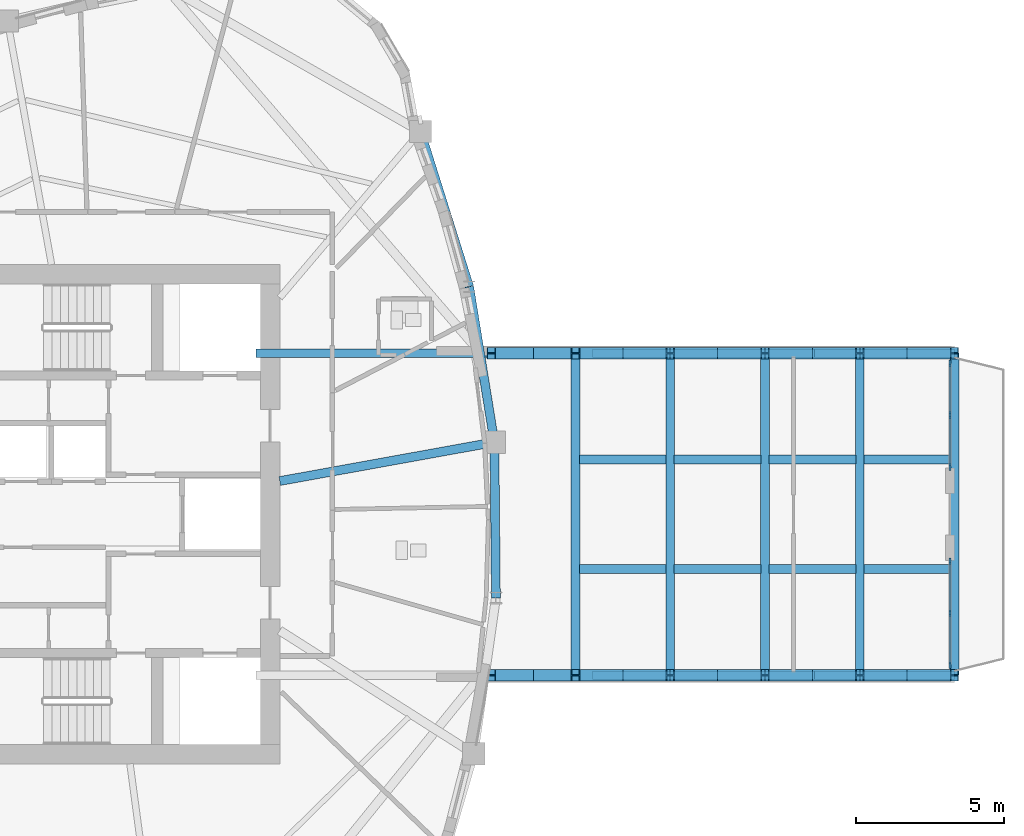
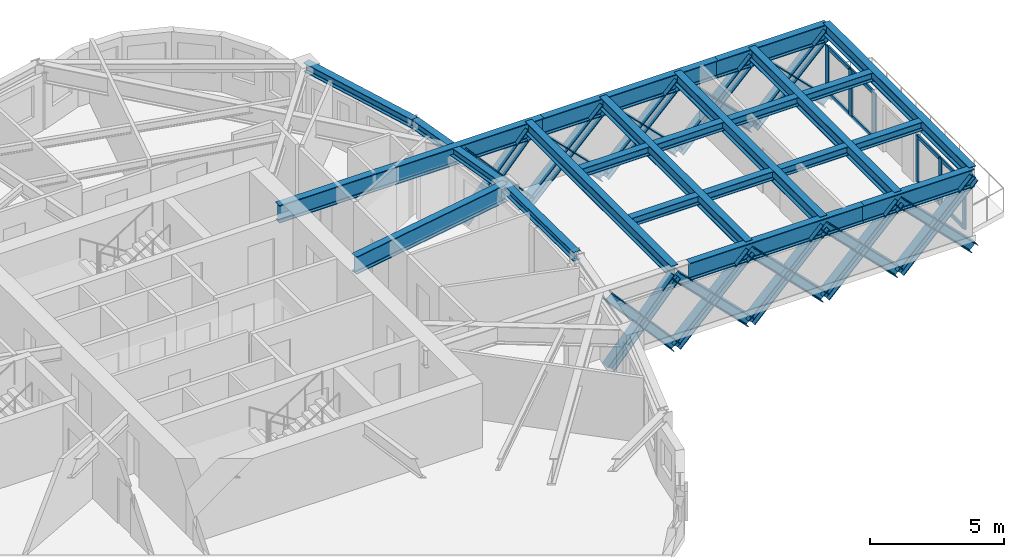
# One storey, part 2 of 13: 34 members, 22 beams, 2 elements without a shape of their own.
"""IFC4 building model written with IfcOpenShell, lengths in metres."""

from ifc_helpers import new_model, si_unit, direction, frame, origin, origin_2d, place, context, subcontext, project, spatial, rectangle, i_section, extrude, source, transform, mapped, material, layer, layer_set, material_profile, profile_set, type_object, element, aggregate, save


model = new_model("IFC4")

# Units and contexts
model_context = context("Model", 3, precision=1e-05, world=origin(), true_north=direction((0.0, 1.0)))
body_context = subcontext(model_context, "Body", "Model", "MODEL_VIEW")
ifc_project = project(units=[si_unit("LENGTHUNIT", "METRE"), si_unit("AREAUNIT", "SQUARE_METRE"), si_unit("VOLUMEUNIT", "CUBIC_METRE"), si_unit("PLANEANGLEUNIT", "RADIAN"), si_unit("MASSUNIT", "GRAM", prefix="KILO")], contexts=[model_context])

# Site, building, storey
site_placement = place(None, origin())
site = spatial("IfcSite", under=ifc_project, at=site_placement, CompositionType="ELEMENT")
building_placement = place(site_placement, origin())
building = spatial("IfcBuilding", under=site, at=building_placement, Name="Qafzar Sky-Pleat Residences", CompositionType="ELEMENT")
storey_placement = place(building_placement, frame((0.0, 0.0, 158.60009765625)))
storey = spatial("IfcBuildingStorey", under=building, at=storey_placement, Name="L47", CompositionType="ELEMENT", Elevation=158.60009765625)

# Beams
ifc_material_1 = material(Name="Steel S355", Category="steel")
ifc_material_profile_1 = material_profile(ifc_material_1, i_section(OverallWidth=0.300048828125, OverallDepth=0.39990234375, WebThickness=0.013427734375, FlangeThickness=0.02392578125, FilletRadius=0.027099609375, at=origin_2d()), Name="HEB 400")
ifc_profile_set_1 = profile_set([ifc_material_profile_1], Name="Steel S355")
beam_type_1 = type_object("IfcBeamType", Name="BM-SPAN-HEB400", PredefinedType="SPANDREL", material=ifc_profile_set_1)
shared_shape_1 = source(origin(), body_context, "Body", "SweptSolid", [
    extrude(i_section(OverallWidth=0.300048828125, OverallDepth=0.39990234375, WebThickness=0.013427734375, FlangeThickness=0.02392578125, FilletRadius=0.027099609375, at=origin_2d()), origin(), (0.0, 0.0, 1.0), 5.508544921875),
])
beam_1_placement = place(storey_placement, frame((42.964111328125, 33.7001953125, 2.747802734375), z_axis=(-0.300093956645, 0.953909648334, 0.0), x_axis=(-0.953909648334, -0.300093956645, 0.0)))
element("IfcBeam", 1, at=beam_1_placement, inside=storey, type_object=beam_type_1, Name="L47 Perimeter Spandrel Beam 12", PredefinedType="SPANDREL", context=body_context, shape_type="MappedRepresentation", body=[
    mapped(shared_shape_1, transform((0.0, 0.0, 0.0), x_axis=(1.0, 0.0, 0.0), y_axis=(0.0, 1.0, 0.0), z_axis=(0.0, 0.0, 1.0), scale=1.0)),
])
shared_shape_2 = source(origin(), body_context, "Body", "SweptSolid", [
    extrude(i_section(OverallWidth=0.300048828125, OverallDepth=0.39990234375, WebThickness=0.013427734375, FlangeThickness=0.02392578125, FilletRadius=0.027099609375, at=origin_2d()), origin(), (0.0, 0.0, 1.0), 5.330810546875),
])
beam_2_placement = place(storey_placement, frame((43.81591796875, 28.43798828125, 2.747802734375), z_axis=(-0.159792544601, 0.987150618037, 0.0), x_axis=(-0.987150618037, -0.159792544601, 0.0)))
element("IfcBeam", 2, at=beam_2_placement, inside=storey, type_object=beam_type_1, Name="L47 Perimeter Spandrel Beam 11", PredefinedType="SPANDREL", context=body_context, shape_type="MappedRepresentation", body=[
    mapped(shared_shape_2, transform((0.0, 0.0, 0.0), x_axis=(1.0, 0.0, 0.0), y_axis=(0.0, 1.0, 0.0), z_axis=(0.0, 0.0, 1.0), scale=1.0)),
])
shared_shape_3 = source(origin(), body_context, "Body", "SweptSolid", [
    extrude(i_section(OverallWidth=0.300048828125, OverallDepth=0.39990234375, WebThickness=0.013427734375, FlangeThickness=0.02392578125, FilletRadius=0.027099609375, at=origin_2d()), origin(), (0.0, 0.0, 1.0), 5.27001953125),
])
beam_3_placement = place(storey_placement, frame((43.866943359375, 23.168212890625, 2.747802734375), z_axis=(-0.009682196128, 0.999953126441, 0.0), x_axis=(-0.999953126441, -0.009682196128, 0.0)))
element("IfcBeam", 3, at=beam_3_placement, inside=storey, type_object=beam_type_1, Name="L47 Perimeter Spandrel Beam 10", PredefinedType="SPANDREL", context=body_context, shape_type="MappedRepresentation", body=[
    mapped(shared_shape_3, transform((0.0, 0.0, 0.0), x_axis=(1.0, 0.0, 0.0), y_axis=(0.0, 1.0, 0.0), z_axis=(0.0, 0.0, 1.0), scale=1.0)),
])
ifc_material_2 = material(Name="Steel S460", Category="steel")
ifc_material_profile_2 = material_profile(ifc_material_2, i_section(OverallWidth=0.300048828125, OverallDepth=0.800048828125, WebThickness=0.017578125, FlangeThickness=0.032958984375, FilletRadius=0.030029296875, at=origin_2d()), Name="HEB 800")
ifc_profile_set_2 = profile_set([ifc_material_profile_2], Name="Steel S460")
beam_type_2 = type_object("IfcBeamType", Name="BM-CHORD-HEB800", PredefinedType="BEAM", material=ifc_profile_set_2)
shared_shape_4 = source(origin(), body_context, "Body", "SweptSolid", [
    extrude(i_section(OverallWidth=0.300048828125, OverallDepth=0.800048828125, WebThickness=0.017578125, FlangeThickness=0.032958984375, FilletRadius=0.030029296875, at=origin_2d()), origin(), (0.0, 0.0, 1.0), 7.384033203125),
])
beam_4_placement = place(storey_placement, frame((43.81591796875, 28.43798828125, 2.5478515625), z_axis=(-0.98400400276, -0.178146351496, 0.0), x_axis=(0.178146351496, -0.98400400276, 0.0)))
element("IfcBeam", 4, at=beam_4_placement, inside=storey, type_object=beam_type_2, Name="L47 Radial Floor Girder 11", PredefinedType="BEAM", context=body_context, shape_type="MappedRepresentation", body=[
    mapped(shared_shape_4, transform((0.0, 0.0, 0.0), x_axis=(1.0, 0.0, 0.0), y_axis=(0.0, 1.0, 0.0), z_axis=(0.0, 0.0, 1.0), scale=1.0)),
])
shared_shape_5 = source(origin(), body_context, "Body", "SweptSolid", [
    extrude(i_section(OverallWidth=0.300048828125, OverallDepth=0.800048828125, WebThickness=0.017578125, FlangeThickness=0.032958984375, FilletRadius=0.030029296875, at=origin_2d()), origin(), (0.0, 0.0, 1.0), 11.405029296875),
])
beam_5_placement = place(storey_placement, frame((35.75, 31.449951171875, 2.5478515625), z_axis=(1.0, 0.0, 0.0), x_axis=(0.0, 1.0, 0.0)))
element("IfcBeam", 5, at=beam_5_placement, inside=storey, type_object=beam_type_2, Name="L47 SB-4 Truss Chord L1", PredefinedType="BEAM", context=body_context, shape_type="MappedRepresentation", body=[
    mapped(shared_shape_5, transform((0.0, 0.0, 0.0), x_axis=(1.0, 0.0, 0.0), y_axis=(0.0, 1.0, 0.0), z_axis=(0.0, 0.0, 1.0), scale=1.0)),
])
shared_shape_6 = source(origin(), body_context, "Body", "SweptSolid", [
    extrude(i_section(OverallWidth=0.300048828125, OverallDepth=0.800048828125, WebThickness=0.017578125, FlangeThickness=0.032958984375, FilletRadius=0.030029296875, at=origin_2d()), origin(), (0.0, 0.0, 1.0), 7.510009765625),
])
for number, where, z_axis, x_axis, name in (
    (6, (47.14501953125, 31.449951171875, 2.5478515625), (1.0, 0.0, 0.0), (0.0, 1.0, 0.0), "L47 SB-4 Truss Chord L2"),
    (7, (47.14501953125, 20.550048828125, 2.5478515625), (1.0, 0.0, 0.0), (0.0, 1.0, 0.0), "L47 SB-4 Truss Chord R2"),
):
    element("IfcBeam", number, at=place(storey_placement, frame(where, z_axis=z_axis, x_axis=x_axis)), inside=storey, type_object=beam_type_2, Name=name, PredefinedType="BEAM", context=body_context, shape_type="MappedRepresentation", body=[
        mapped(shared_shape_6, transform((0.0, 0.0, 0.0), x_axis=(1.0, 0.0, 0.0), y_axis=(0.0, 1.0, 0.0), z_axis=(0.0, 0.0, 1.0), scale=1.0)),
    ])
shared_shape_7 = source(origin(), body_context, "Body", "SweptSolid", [
    extrude(i_section(OverallWidth=0.300048828125, OverallDepth=0.800048828125, WebThickness=0.017578125, FlangeThickness=0.032958984375, FilletRadius=0.030029296875, at=origin_2d()), origin(), (0.0, 0.0, 1.0), 4.74755859375),
])
for number, where, z_axis, x_axis, name in (
    (8, (54.64501953125, 31.449951171875, 2.5478515625), (1.0, 0.0, 0.0), (0.0, 1.0, 0.0), "L47 SB-4 Truss Chord L3"),
    (9, (54.64501953125, 20.550048828125, 2.5478515625), (1.0, 0.0, 0.0), (0.0, 1.0, 0.0), "L47 SB-4 Truss Chord R3"),
):
    element("IfcBeam", number, at=place(storey_placement, frame(where, z_axis=z_axis, x_axis=x_axis)), inside=storey, type_object=beam_type_2, Name=name, PredefinedType="BEAM", context=body_context, shape_type="MappedRepresentation", body=[
        mapped(shared_shape_7, transform((0.0, 0.0, 0.0), x_axis=(1.0, 0.0, 0.0), y_axis=(0.0, 1.0, 0.0), z_axis=(0.0, 0.0, 1.0), scale=1.0)),
    ])
ifc_material_profile_3 = material_profile(ifc_material_1, i_section(OverallWidth=0.300048828125, OverallDepth=0.550048828125, WebThickness=0.014892578125, FlangeThickness=0.029052734375, FilletRadius=0.027099609375, at=origin_2d()), Name="HEB 550")
ifc_profile_set_3 = profile_set([ifc_material_profile_3], Name="Steel S355")
beam_type_3 = type_object("IfcBeamType", Name="BM-GIRD-HEB550", PredefinedType="BEAM", material=ifc_profile_set_3)
shared_shape_8 = source(origin(), body_context, "Body", "SweptSolid", [
    extrude(i_section(OverallWidth=0.300048828125, OverallDepth=0.550048828125, WebThickness=0.014892578125, FlangeThickness=0.029052734375, FilletRadius=0.027099609375, at=origin_2d()), origin(), (0.0, 0.0, 1.0), 10.89990234375),
])
for number, where, z_axis, x_axis, name in (
    (10, (46.55859375, 31.449951171875, 2.68798828125), (0.0, -1.0, 0.0), (1.0, 0.0, 0.0), "L47 SB-4 Transverse Girder 1"),
    (11, (49.76708984375, 31.449951171875, 2.68798828125), (0.0, -1.0, 0.0), (1.0, 0.0, 0.0), "L47 SB-4 Transverse Girder 2"),
    (12, (52.9755859375, 31.449951171875, 2.68798828125), (0.0, -1.0, 0.0), (1.0, 0.0, 0.0), "L47 SB-4 Transverse Girder 3"),
    (13, (56.18408203125, 31.449951171875, 2.68798828125), (0.0, -1.0, 0.0), (1.0, 0.0, 0.0), "L47 SB-4 Transverse Girder 4"),
    (14, (59.392578125, 31.449951171875, 2.68798828125), (0.0, -1.0, 0.0), (1.0, 0.0, 0.0), "L47 SB-4 Transverse Girder 5"),
):
    element("IfcBeam", number, at=place(storey_placement, frame(where, z_axis=z_axis, x_axis=x_axis)), inside=storey, type_object=beam_type_3, Name=name, PredefinedType="BEAM", context=body_context, shape_type="MappedRepresentation", body=[
        mapped(shared_shape_8, transform((0.0, 0.0, 0.0), x_axis=(1.0, 0.0, 0.0), y_axis=(0.0, 1.0, 0.0), z_axis=(0.0, 0.0, 1.0), scale=1.0)),
    ])
ifc_material_profile_4 = material_profile(ifc_material_1, i_section(OverallWidth=0.300048828125, OverallDepth=0.389892578125, WebThickness=0.010986328125, FlangeThickness=0.01904296875, FilletRadius=0.027099609375, at=origin_2d()), Name="HEA 400")
ifc_profile_set_4 = profile_set([ifc_material_profile_4], Name="Steel S355")
beam_type_4 = type_object("IfcBeamType", Name="BM-SBJ-HEA400", PredefinedType="JOIST", material=ifc_profile_set_4)
shared_shape_9 = source(origin(), body_context, "Body", "SweptSolid", [
    extrude(i_section(OverallWidth=0.300048828125, OverallDepth=0.389892578125, WebThickness=0.010986328125, FlangeThickness=0.01904296875, FilletRadius=0.027099609375, at=origin_2d()), origin(), (0.0, 0.0, 1.0), 2.9384765625),
])
for number, where, z_axis, x_axis, name in (
    (15, (46.693603515625, 24.14697265625, 2.767822265625), (1.0, 0.0, 0.0), (0.0, 1.0, 0.0), "L47 SB-4 Sky-Bar Secondary Deck Joist 2.1"),
    (16, (46.693603515625, 27.85302734375, 2.767822265625), (1.0, 0.0, 0.0), (0.0, 1.0, 0.0), "L47 SB-4 Sky-Bar Secondary Deck Joist 2.2"),
    (17, (49.902099609375, 24.14697265625, 2.767822265625), (1.0, 0.0, 0.0), (0.0, 1.0, 0.0), "L47 SB-4 Sky-Bar Secondary Deck Joist 3.1"),
    (18, (49.902099609375, 27.85302734375, 2.767822265625), (1.0, 0.0, 0.0), (0.0, 1.0, 0.0), "L47 SB-4 Sky-Bar Secondary Deck Joist 3.2"),
    (19, (53.110595703125, 24.14697265625, 2.767822265625), (1.0, 0.0, 0.0), (0.0, 1.0, 0.0), "L47 SB-4 Sky-Bar Secondary Deck Joist 4.1"),
    (20, (53.110595703125, 27.85302734375, 2.767822265625), (1.0, 0.0, 0.0), (0.0, 1.0, 0.0), "L47 SB-4 Sky-Bar Secondary Deck Joist 4.2"),
    (21, (56.319091796875, 24.14697265625, 2.767822265625), (1.0, 0.0, 0.0), (0.0, 1.0, 0.0), "L47 SB-4 Sky-Bar Secondary Deck Joist 5.1"),
    (22, (56.319091796875, 27.85302734375, 2.767822265625), (1.0, 0.0, 0.0), (0.0, 1.0, 0.0), "L47 SB-4 Sky-Bar Secondary Deck Joist 5.2"),
):
    element("IfcBeam", number, at=place(storey_placement, frame(where, z_axis=z_axis, x_axis=x_axis)), inside=storey, type_object=beam_type_4, Name=name, PredefinedType="JOIST", context=body_context, shape_type="MappedRepresentation", body=[
        mapped(shared_shape_9, transform((0.0, 0.0, 0.0), x_axis=(1.0, 0.0, 0.0), y_axis=(0.0, 1.0, 0.0), z_axis=(0.0, 0.0, 1.0), scale=1.0)),
    ])

# Members
ifc_material_profile_5 = material_profile(ifc_material_2, i_section(OverallWidth=0.40087890625, OverallDepth=0.39892578125, WebThickness=0.02294921875, FlangeThickness=0.035888671875, FilletRadius=0.014892578125, at=origin_2d()), Name="HD 400x314")
ifc_profile_set_5 = profile_set([ifc_material_profile_5], Name="Steel S460")
member_type_1 = type_object("IfcMemberType", Name="MEM-SB-DIAG", PredefinedType="BRACE", material=ifc_profile_set_5)
shared_shape_10 = source(origin(), body_context, "Body", "SweptSolid", [
    extrude(i_section(OverallWidth=0.40087890625, OverallDepth=0.39892578125, WebThickness=0.02294921875, FlangeThickness=0.035888671875, FilletRadius=0.014892578125, at=origin_2d()), origin(), (0.0, 0.0, 1.0), 4.29541015625),
])
for number, where, z_axis, x_axis, name in (
    (23, (43.7099609375, 31.449951171875, -0.6669921875), (0.66319175772, 0.0, 0.748449525681), (0.0, 1.0, 0.0), "L47 SB-4 Truss Web Diagonal L1A"),
    (24, (43.7099609375, 31.449951171875, 2.5478515625), (0.66319175772, 0.0, -0.748449525681), (0.0, 1.0, 0.0), "L47 SB-4 Truss Web Diagonal L1B"),
    (25, (43.7099609375, 20.550048828125, -0.6669921875), (0.66319175772, 0.0, 0.748449525681), (0.0, 1.0, 0.0), "L47 SB-4 Truss Web Diagonal R1A"),
    (26, (43.7099609375, 20.550048828125, 2.5478515625), (0.66319175772, 0.0, -0.748449525681), (0.0, 1.0, 0.0), "L47 SB-4 Truss Web Diagonal R1B"),
):
    element("IfcMember", number, at=place(storey_placement, frame(where, z_axis=z_axis, x_axis=x_axis)), inside=storey, type_object=member_type_1, Name=name, PredefinedType="BRACE", context=body_context, shape_type="MappedRepresentation", body=[
        mapped(shared_shape_10, transform((0.0, 0.0, 0.0), x_axis=(1.0, 0.0, 0.0), y_axis=(0.0, 1.0, 0.0), z_axis=(0.0, 0.0, 1.0), scale=1.0)),
    ])
shared_shape_11 = source(origin(), body_context, "Body", "SweptSolid", [
    extrude(i_section(OverallWidth=0.40087890625, OverallDepth=0.39892578125, WebThickness=0.02294921875, FlangeThickness=0.035888671875, FilletRadius=0.014892578125, at=origin_2d()), origin(), (0.0, 0.0, 1.0), 4.5419921875),
])
for number, where, z_axis, x_axis, name in (
    (27, (46.55859375, 31.449951171875, -0.6669921875), (0.706407661027, 0.0, 0.707805210805), (0.0, 1.0, 0.0), "L47 SB-4 Truss Web Diagonal L2A"),
    (28, (46.55859375, 31.449951171875, 2.5478515625), (0.706407661027, 0.0, -0.707805210805), (0.0, 1.0, 0.0), "L47 SB-4 Truss Web Diagonal L2B"),
    (29, (49.76708984375, 31.449951171875, -0.6669921875), (0.706407661027, 0.0, 0.707805210805), (0.0, 1.0, 0.0), "L47 SB-4 Truss Web Diagonal L3A"),
    (30, (49.76708984375, 31.449951171875, 2.5478515625), (0.706407661027, 0.0, -0.707805210805), (0.0, 1.0, 0.0), "L47 SB-4 Truss Web Diagonal L3B"),
    (31, (52.9755859375, 31.449951171875, -0.6669921875), (0.706407661027, 0.0, 0.707805210805), (0.0, 1.0, 0.0), "L47 SB-4 Truss Web Diagonal L4A"),
    (32, (52.9755859375, 31.449951171875, 2.5478515625), (0.706407661027, 0.0, -0.707805210805), (0.0, 1.0, 0.0), "L47 SB-4 Truss Web Diagonal L4B"),
    (33, (56.18408203125, 31.449951171875, -0.6669921875), (0.706407661027, 0.0, 0.707805210805), (0.0, 1.0, 0.0), "L47 SB-4 Truss Web Diagonal L5A"),
    (34, (56.18408203125, 31.449951171875, 2.5478515625), (0.706407661027, 0.0, -0.707805210805), (0.0, 1.0, 0.0), "L47 SB-4 Truss Web Diagonal L5B"),
    (35, (46.55859375, 20.550048828125, -0.6669921875), (0.706407661027, 0.0, 0.707805210805), (0.0, 1.0, 0.0), "L47 SB-4 Truss Web Diagonal R2A"),
    (36, (46.55859375, 20.550048828125, 2.5478515625), (0.706407661027, 0.0, -0.707805210805), (0.0, 1.0, 0.0), "L47 SB-4 Truss Web Diagonal R2B"),
    (37, (49.76708984375, 20.550048828125, -0.6669921875), (0.706407661027, 0.0, 0.707805210805), (0.0, 1.0, 0.0), "L47 SB-4 Truss Web Diagonal R3A"),
    (38, (49.76708984375, 20.550048828125, 2.5478515625), (0.706407661027, 0.0, -0.707805210805), (0.0, 1.0, 0.0), "L47 SB-4 Truss Web Diagonal R3B"),
    (39, (52.9755859375, 20.550048828125, -0.6669921875), (0.706407661027, 0.0, 0.707805210805), (0.0, 1.0, 0.0), "L47 SB-4 Truss Web Diagonal R4A"),
    (40, (52.9755859375, 20.550048828125, 2.5478515625), (0.706407661027, 0.0, -0.707805210805), (0.0, 1.0, 0.0), "L47 SB-4 Truss Web Diagonal R4B"),
    (41, (56.18408203125, 20.550048828125, -0.6669921875), (0.706407661027, 0.0, 0.707805210805), (0.0, 1.0, 0.0), "L47 SB-4 Truss Web Diagonal R5A"),
    (42, (56.18408203125, 20.550048828125, 2.5478515625), (0.706407661027, 0.0, -0.707805210805), (0.0, 1.0, 0.0), "L47 SB-4 Truss Web Diagonal R5B"),
):
    element("IfcMember", number, at=place(storey_placement, frame(where, z_axis=z_axis, x_axis=x_axis)), inside=storey, type_object=member_type_1, Name=name, PredefinedType="BRACE", context=body_context, shape_type="MappedRepresentation", body=[
        mapped(shared_shape_11, transform((0.0, 0.0, 0.0), x_axis=(1.0, 0.0, 0.0), y_axis=(0.0, 1.0, 0.0), z_axis=(0.0, 0.0, 1.0), scale=1.0)),
    ])

# Curtain wall, members
ifc_material_3 = material(Name="Anodised bronze aluminium framing", Category="aluminium")
ifc_layer_1 = layer(ifc_material_3, 0.239990234375)
ifc_layer_set_1 = layer_set([ifc_layer_1], Name="Anodised bronze aluminium framing")
curtain_wall_type_1 = type_object("IfcCurtainWallType", Name="CW-SYS-02", PredefinedType="NOTDEFINED", material=ifc_layer_set_1)
curtain_wall_1_placement = place(storey_placement, origin())
curtain_wall_1 = element("IfcCurtainWall", 43, at=curtain_wall_1_placement, inside=storey, type_object=curtain_wall_type_1, Name="L47 CW-02 Curtain Wall CW-L47-SB-4-PROW-L", PredefinedType="NOTDEFINED")
ifc_material_4 = material(Name="Anodised bronze aluminium", Category="aluminium")
ifc_material_profile_6 = material_profile(ifc_material_4, rectangle(XDim=0.074951171875, YDim=0.179931640625, at=origin_2d()), Name="ALU TRANSOM 75x180")
ifc_profile_set_6 = profile_set([ifc_material_profile_6], Name="Anodised bronze aluminium")
member_type_2 = type_object("IfcMemberType", Name="CWT-02", PredefinedType="USERDEFINED", material=ifc_profile_set_6)
shared_shape_12 = source(origin(), body_context, "Body", "SweptSolid", [
    extrude(rectangle(XDim=0.074951171875, YDim=0.179931640625, at=origin_2d()), origin(), (0.0, 0.0, 1.0), 1.677490234375),
])
member_1_placement = place(storey_placement, frame((59.24267578125, 31.06494140625, 0.037353515625), z_axis=(0.0, -1.0, 0.0), x_axis=(1.0, 0.0, 0.0)))
member_1 = element("IfcMember", 44, at=member_1_placement, type_object=member_type_2, Name="CW-02 transom 1.1", ObjectType="TRANSOM", PredefinedType="USERDEFINED", context=body_context, shape_type="MappedRepresentation", body=[
    mapped(shared_shape_12, transform((0.0, 0.0, 0.0), x_axis=(1.0, 0.0, 0.0), y_axis=(0.0, 1.0, 0.0), z_axis=(0.0, 0.0, 1.0), scale=1.0)),
])
member_2_placement = place(storey_placement, frame((59.24267578125, 31.06494140625, 2.09228515625), z_axis=(0.0, -1.0, 0.0), x_axis=(1.0, 0.0, 0.0)))
member_2 = element("IfcMember", 45, at=member_2_placement, type_object=member_type_2, Name="CW-02 transom 1.2", ObjectType="TRANSOM", PredefinedType="USERDEFINED", context=body_context, shape_type="MappedRepresentation", body=[
    mapped(shared_shape_12, transform((0.0, 0.0, 0.0), x_axis=(1.0, 0.0, 0.0), y_axis=(0.0, 1.0, 0.0), z_axis=(0.0, 0.0, 1.0), scale=1.0)),
])
member_3_placement = place(storey_placement, frame((59.24267578125, 29.3125, 0.037353515625), z_axis=(0.0, -1.0, 0.0), x_axis=(1.0, 0.0, 0.0)))
member_3 = element("IfcMember", 46, at=member_3_placement, type_object=member_type_2, Name="CW-02 transom 2.1", ObjectType="TRANSOM", PredefinedType="USERDEFINED", context=body_context, shape_type="MappedRepresentation", body=[
    mapped(shared_shape_12, transform((0.0, 0.0, 0.0), x_axis=(1.0, 0.0, 0.0), y_axis=(0.0, 1.0, 0.0), z_axis=(0.0, 0.0, 1.0), scale=1.0)),
])
member_4_placement = place(storey_placement, frame((59.24267578125, 29.3125, 2.09228515625), z_axis=(0.0, -1.0, 0.0), x_axis=(1.0, 0.0, 0.0)))
member_4 = element("IfcMember", 47, at=member_4_placement, type_object=member_type_2, Name="CW-02 transom 2.2", ObjectType="TRANSOM", PredefinedType="USERDEFINED", context=body_context, shape_type="MappedRepresentation", body=[
    mapped(shared_shape_12, transform((0.0, 0.0, 0.0), x_axis=(1.0, 0.0, 0.0), y_axis=(0.0, 1.0, 0.0), z_axis=(0.0, 0.0, 1.0), scale=1.0)),
])

ifc_layer_2 = layer(ifc_material_3, 0.219970703125)
ifc_layer_set_2 = layer_set([ifc_layer_2], Name="Anodised bronze aluminium framing")
curtain_wall_type_2 = type_object("IfcCurtainWallType", Name="CW-SYS-03", PredefinedType="NOTDEFINED", material=ifc_layer_set_2)
curtain_wall_2_placement = place(storey_placement, origin())
curtain_wall_2 = element("IfcCurtainWall", 48, at=curtain_wall_2_placement, inside=storey, type_object=curtain_wall_type_2, Name="L47 CW-03 Curtain Wall CW-L47-SB-4-PROW-R", PredefinedType="NOTDEFINED")
ifc_material_profile_7 = material_profile(ifc_material_4, rectangle(XDim=0.070068359375, YDim=0.1650390625, at=origin_2d()), Name="ALU TRANSOM 70x165")
ifc_profile_set_7 = profile_set([ifc_material_profile_7], Name="Anodised bronze aluminium")
member_type_3 = type_object("IfcMemberType", Name="CWT-03", PredefinedType="USERDEFINED", material=ifc_profile_set_7)
shared_shape_13 = source(origin(), body_context, "Body", "SweptSolid", [
    extrude(rectangle(XDim=0.070068359375, YDim=0.1650390625, at=origin_2d()), origin(), (0.0, 0.0, 1.0), 1.68505859375),
])
member_5_placement = place(storey_placement, frame((59.24267578125, 24.3701171875, 0.034912109375), z_axis=(0.0, -1.0, 0.0), x_axis=(1.0, 0.0, 0.0)))
member_5 = element("IfcMember", 49, at=member_5_placement, type_object=member_type_3, Name="CW-03 transom 1.1", ObjectType="TRANSOM", PredefinedType="USERDEFINED", context=body_context, shape_type="MappedRepresentation", body=[
    mapped(shared_shape_13, transform((0.0, 0.0, 0.0), x_axis=(1.0, 0.0, 0.0), y_axis=(0.0, 1.0, 0.0), z_axis=(0.0, 0.0, 1.0), scale=1.0)),
])
member_6_placement = place(storey_placement, frame((59.24267578125, 24.3701171875, 2.094970703125), z_axis=(0.0, -1.0, 0.0), x_axis=(1.0, 0.0, 0.0)))
member_6 = element("IfcMember", 50, at=member_6_placement, type_object=member_type_3, Name="CW-03 transom 1.2", ObjectType="TRANSOM", PredefinedType="USERDEFINED", context=body_context, shape_type="MappedRepresentation", body=[
    mapped(shared_shape_13, transform((0.0, 0.0, 0.0), x_axis=(1.0, 0.0, 0.0), y_axis=(0.0, 1.0, 0.0), z_axis=(0.0, 0.0, 1.0), scale=1.0)),
])
member_7_placement = place(storey_placement, frame((59.24267578125, 22.614990234375, 0.034912109375), z_axis=(0.0, -1.0, 0.0), x_axis=(1.0, 0.0, 0.0)))
member_7 = element("IfcMember", 51, at=member_7_placement, type_object=member_type_3, Name="CW-03 transom 2.1", ObjectType="TRANSOM", PredefinedType="USERDEFINED", context=body_context, shape_type="MappedRepresentation", body=[
    mapped(shared_shape_13, transform((0.0, 0.0, 0.0), x_axis=(1.0, 0.0, 0.0), y_axis=(0.0, 1.0, 0.0), z_axis=(0.0, 0.0, 1.0), scale=1.0)),
])
member_8_placement = place(storey_placement, frame((59.24267578125, 22.614990234375, 2.094970703125), z_axis=(0.0, -1.0, 0.0), x_axis=(1.0, 0.0, 0.0)))
member_8 = element("IfcMember", 52, at=member_8_placement, type_object=member_type_3, Name="CW-03 transom 2.2", ObjectType="TRANSOM", PredefinedType="USERDEFINED", context=body_context, shape_type="MappedRepresentation", body=[
    mapped(shared_shape_13, transform((0.0, 0.0, 0.0), x_axis=(1.0, 0.0, 0.0), y_axis=(0.0, 1.0, 0.0), z_axis=(0.0, 0.0, 1.0), scale=1.0)),
])

# Member
ifc_material_profile_8 = material_profile(ifc_material_4, rectangle(XDim=0.074951171875, YDim=0.239990234375, at=origin_2d()), Name="ALU MULLION 75x240")
ifc_profile_set_8 = profile_set([ifc_material_profile_8], Name="Anodised bronze aluminium")
member_type_4 = type_object("IfcMemberType", Name="CWM-02", PredefinedType="MULLION", material=ifc_profile_set_8)
shared_shape_14 = source(origin(), body_context, "Body", "SweptSolid", [
    extrude(rectangle(XDim=0.074951171875, YDim=0.239990234375, at=origin_2d()), origin(), (0.0, 0.0, 1.0), 2.1298828125),
])
member_9_placement = place(storey_placement, frame((59.24267578125, 31.1025390625, 0.0), z_axis=(0.0, 0.0, 1.0), x_axis=(1.0, 0.0, 0.0)))
member_9 = element("IfcMember", 53, at=member_9_placement, type_object=member_type_4, Name="CW-02 mullion 1", PredefinedType="MULLION", context=body_context, shape_type="MappedRepresentation", body=[
    mapped(shared_shape_14, transform((0.0, 0.0, 0.0), x_axis=(1.0, 0.0, 0.0), y_axis=(0.0, 1.0, 0.0), z_axis=(0.0, 0.0, 1.0), scale=1.0)),
])

member_10_placement = place(storey_placement, frame((59.24267578125, 29.35009765625, 0.0), z_axis=(0.0, 0.0, 1.0), x_axis=(1.0, 0.0, 0.0)))
member_10 = element("IfcMember", 54, at=member_10_placement, type_object=member_type_4, Name="CW-02 mullion 2", PredefinedType="MULLION", context=body_context, shape_type="MappedRepresentation", body=[
    mapped(shared_shape_14, transform((0.0, 0.0, 0.0), x_axis=(1.0, 0.0, 0.0), y_axis=(0.0, 1.0, 0.0), z_axis=(0.0, 0.0, 1.0), scale=1.0)),
])

member_11_placement = place(storey_placement, frame((59.24267578125, 27.597412109375, 0.0), z_axis=(0.0, 0.0, 1.0), x_axis=(1.0, 0.0, 0.0)))
member_11 = element("IfcMember", 55, at=member_11_placement, type_object=member_type_4, Name="CW-02 mullion 3", PredefinedType="MULLION", context=body_context, shape_type="MappedRepresentation", body=[
    mapped(shared_shape_14, transform((0.0, 0.0, 0.0), x_axis=(1.0, 0.0, 0.0), y_axis=(0.0, 1.0, 0.0), z_axis=(0.0, 0.0, 1.0), scale=1.0)),
])

aggregate(curtain_wall_1, [member_9, member_10, member_11, member_1, member_2, member_3, member_4])

ifc_material_profile_9 = material_profile(ifc_material_4, rectangle(XDim=0.070068359375, YDim=0.219970703125, at=origin_2d()), Name="ALU MULLION 70x220")
ifc_profile_set_9 = profile_set([ifc_material_profile_9], Name="Anodised bronze aluminium")
member_type_5 = type_object("IfcMemberType", Name="CWM-03", PredefinedType="MULLION", material=ifc_profile_set_9)
shared_shape_15 = source(origin(), body_context, "Body", "SweptSolid", [
    extrude(rectangle(XDim=0.070068359375, YDim=0.219970703125, at=origin_2d()), origin(), (0.0, 0.0, 1.0), 2.1298828125),
])
member_12_placement = place(storey_placement, frame((59.24267578125, 24.405029296875, 0.0), z_axis=(0.0, 0.0, 1.0), x_axis=(1.0, 0.0, 0.0)))
member_12 = element("IfcMember", 56, at=member_12_placement, type_object=member_type_5, Name="CW-03 mullion 1", PredefinedType="MULLION", context=body_context, shape_type="MappedRepresentation", body=[
    mapped(shared_shape_15, transform((0.0, 0.0, 0.0), x_axis=(1.0, 0.0, 0.0), y_axis=(0.0, 1.0, 0.0), z_axis=(0.0, 0.0, 1.0), scale=1.0)),
])

member_13_placement = place(storey_placement, frame((59.24267578125, 22.64990234375, 0.0), z_axis=(0.0, 0.0, 1.0), x_axis=(1.0, 0.0, 0.0)))
member_13 = element("IfcMember", 57, at=member_13_placement, type_object=member_type_5, Name="CW-03 mullion 2", PredefinedType="MULLION", context=body_context, shape_type="MappedRepresentation", body=[
    mapped(shared_shape_15, transform((0.0, 0.0, 0.0), x_axis=(1.0, 0.0, 0.0), y_axis=(0.0, 1.0, 0.0), z_axis=(0.0, 0.0, 1.0), scale=1.0)),
])

member_14_placement = place(storey_placement, frame((59.24267578125, 20.89501953125, 0.0), z_axis=(0.0, 0.0, 1.0), x_axis=(1.0, 0.0, 0.0)))
member_14 = element("IfcMember", 58, at=member_14_placement, type_object=member_type_5, Name="CW-03 mullion 3", PredefinedType="MULLION", context=body_context, shape_type="MappedRepresentation", body=[
    mapped(shared_shape_15, transform((0.0, 0.0, 0.0), x_axis=(1.0, 0.0, 0.0), y_axis=(0.0, 1.0, 0.0), z_axis=(0.0, 0.0, 1.0), scale=1.0)),
])

aggregate(curtain_wall_2, [member_12, member_13, member_14, member_5, member_6, member_7, member_8])

save(model, "model.ifc")
